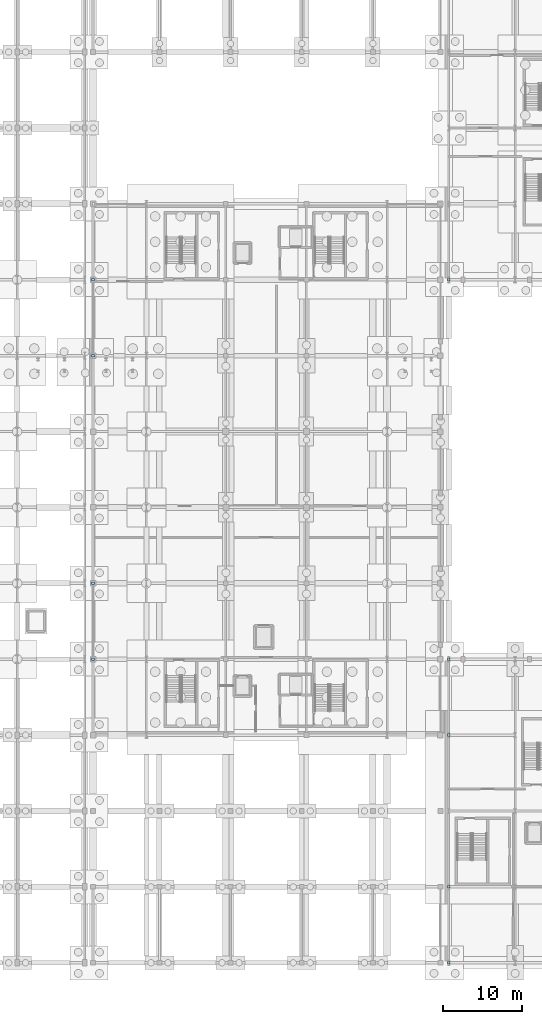
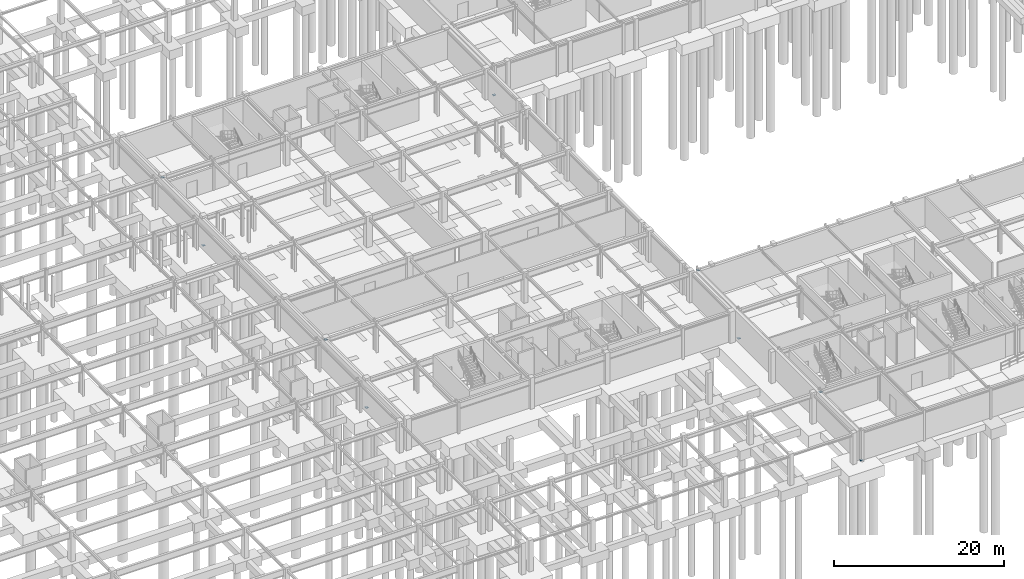
# One storey, part 35 of 59: 9 plates.
"""IFC4 building model written with IfcOpenShell, lengths in metres."""

from ifc_helpers import new_model, si_unit, direction, frame, origin, origin_2d, place, context, subcontext, project, spatial, rectangle, extrude, material, layer, layer_set, type_object, element, save


model = new_model("IFC4")

# Units and contexts
model_context = context("Model", 3, precision=1e-05, world=origin(), true_north=direction((0.0, 1.0)))
body_context = subcontext(model_context, "Body", "Model", "MODEL_VIEW")
ifc_project = project(units=[si_unit("LENGTHUNIT", "METRE"), si_unit("AREAUNIT", "SQUARE_METRE"), si_unit("VOLUMEUNIT", "CUBIC_METRE"), si_unit("PLANEANGLEUNIT", "RADIAN"), si_unit("MASSUNIT", "GRAM", prefix="KILO")], contexts=[model_context])

# Site, building, storey
site_placement = place(None, origin())
site = spatial("IfcSite", under=ifc_project, at=site_placement, CompositionType="ELEMENT")
building_placement = place(site_placement, origin())
building = spatial("IfcBuilding", under=site, at=building_placement, Name="Myrtia Square Station", CompositionType="ELEMENT")
storey_placement = place(building_placement, frame((0.0, 0.0, -4.5)))
storey = spatial("IfcBuildingStorey", under=building, at=storey_placement, Name="B01", CompositionType="ELEMENT", Elevation=-4.5)

# Plates
ifc_material = material(Name="Steel S355", Category="steel")
ifc_layer = layer(ifc_material, 0.034912109375, Name="Steel S355")
ifc_layer_set = layer_set([ifc_layer], Name="Steel S355")
plate_type = type_object("IfcPlateType", Name="PLT-GUS35", PredefinedType="USERDEFINED", material=ifc_layer_set)
for number, where, z_axis, x_axis, name in (
    (1, (117.60009765625, 0.0, 0.08251953125), (0.0, 0.0, 1.0), (0.0, 1.0, 0.0), "Truss node gusset plate BF-B01-01-1"),
    (2, (117.60009765625, 9.60009765625, 4.03271484375), (0.0, 0.0, 1.0), (0.0, 1.0, 0.0), "Truss node gusset plate BF-B01-01-2"),
    (3, (117.60009765625, 28.800048828125, 0.08251953125), (0.0, 0.0, 1.0), (0.0, 1.0, 0.0), "Truss node gusset plate BF-B01-02-1"),
    (4, (117.60009765625, 38.39990234375, 4.03271484375), (0.0, 0.0, 1.0), (0.0, 1.0, 0.0), "Truss node gusset plate BF-B01-02-2"),
    (5, (117.60009765625, 86.39990234375, 0.08251953125), (0.0, 0.0, 1.0), (0.0, 1.0, 0.0), "Truss node gusset plate BF-B01-03-1"),
    (6, (72.60009765625, 38.39990234375, 0.08251953125), (0.0, 0.0, 1.0), (0.0, 1.0, 0.0), "Truss node gusset plate BF-B01-05-1"),
    (7, (72.60009765625, 48.0, 4.03271484375), (0.0, 0.0, 1.0), (0.0, 1.0, 0.0), "Truss node gusset plate BF-B01-05-2"),
    (8, (72.60009765625, 76.800048828125, 0.08251953125), (0.0, 0.0, 1.0), (0.0, 1.0, 0.0), "Truss node gusset plate BF-B01-06-1"),
    (9, (72.60009765625, 86.39990234375, 4.03271484375), (0.0, 0.0, 1.0), (0.0, 1.0, 0.0), "Truss node gusset plate BF-B01-06-2"),
):
    element("IfcPlate", number, at=place(storey_placement, frame(where, z_axis=z_axis, x_axis=x_axis)), inside=storey, type_object=plate_type, Name=name, ObjectType="GUSSET PLATE", PredefinedType="USERDEFINED", context=body_context, shape_type="SweptSolid", body=[
        extrude(rectangle(XDim=0.340087890625, YDim=0.340087890625, at=origin_2d()), origin(), (0.0, 0.0, 1.0), 0.034912109375),
    ])

save(model, "model.ifc")
